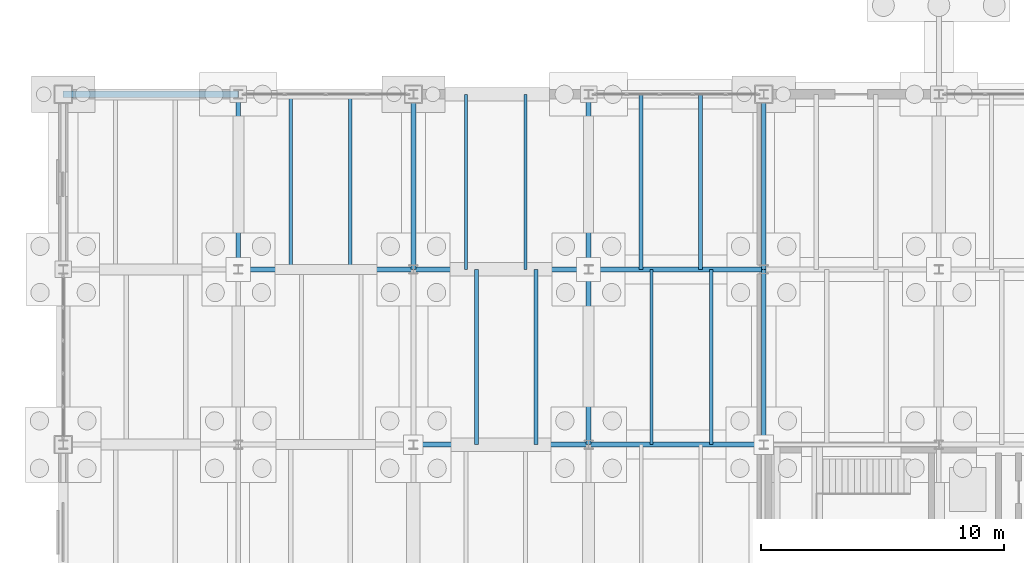
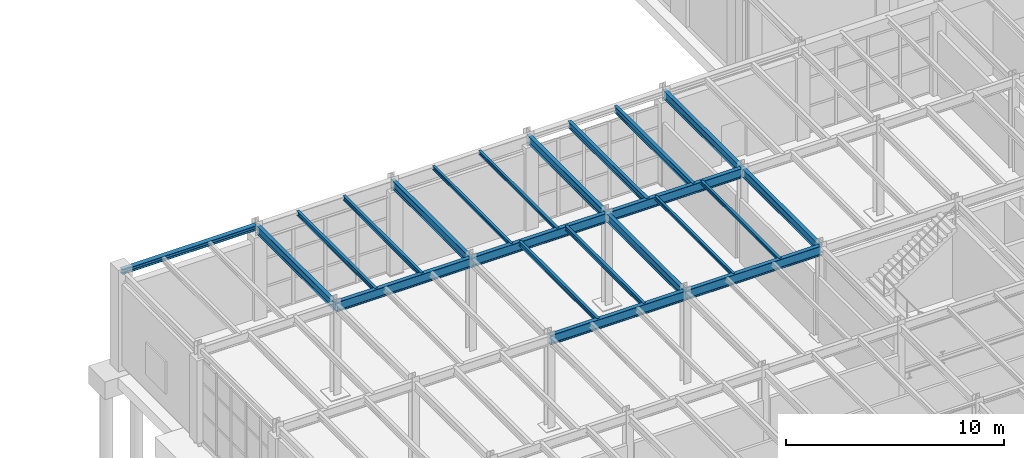
# One storey, part 97 of 293: 22 beams.
"""IFC4 building model written with IfcOpenShell, lengths in metres."""

from ifc_helpers import new_model, si_unit, direction, frame, origin, origin_2d, place, context, subcontext, project, spatial, i_section, extrude, material, material_profile, profile_set, type_object, element, save


model = new_model("IFC4")

# Units and contexts
model_context = context("Model", 3, precision=1e-05, world=origin(), true_north=direction((0.0, 1.0)))
body_context = subcontext(model_context, "Body", "Model", "MODEL_VIEW")
ifc_project = project(units=[si_unit("LENGTHUNIT", "METRE"), si_unit("AREAUNIT", "SQUARE_METRE"), si_unit("VOLUMEUNIT", "CUBIC_METRE"), si_unit("PLANEANGLEUNIT", "RADIAN"), si_unit("MASSUNIT", "GRAM", prefix="KILO")], contexts=[model_context])

# Site, building, storey
site_placement = place(None, origin())
site = spatial("IfcSite", under=ifc_project, at=site_placement, CompositionType="ELEMENT")
building_placement = place(site_placement, origin())
building = spatial("IfcBuilding", under=site, at=building_placement, Name="Kemerveld Promenade Tramway Depot", CompositionType="ELEMENT")
storey_placement = place(building_placement, origin())
storey = spatial("IfcBuildingStorey", under=building, at=storey_placement, Name="L00", CompositionType="ELEMENT", Elevation=0.0)

# Beams
ifc_material = material(Name="Steel S355", Category="steel")
ifc_material_profile_1 = material_profile(ifc_material, i_section(OverallWidth=0.2099609375, OverallDepth=0.53662109375, WebThickness=0.0107421875, FlangeThickness=0.017333984375, FilletRadius=0.0126953125, at=origin_2d()), Name="533x210x101 UB")
ifc_profile_set_1 = profile_set([ifc_material_profile_1], Name="Steel S355")
beam_type_1 = type_object("IfcBeamType", Name="BM-G05", PredefinedType="BEAM", material=ifc_profile_set_1)
beam_1_placement = place(storey_placement, frame((14.39990234375, 64.800048828125, 4.881591796875), z_axis=(1.0, 0.0, 0.0), x_axis=(0.0, 1.0, 0.0)))
element("IfcBeam", 1, at=beam_1_placement, inside=storey, type_object=beam_type_1, Name="BMX-L00-03-04-K", PredefinedType="BEAM", context=body_context, shape_type="SweptSolid", body=[
    extrude(i_section(OverallWidth=0.2099609375, OverallDepth=0.53662109375, WebThickness=0.0107421875, FlangeThickness=0.017333984375, FilletRadius=0.0126953125, at=origin_2d()), origin(), (0.0, 0.0, 1.0), 7.2001953125),
])
for number, where, z_axis, x_axis, name in (
    (2, (21.60009765625, 64.800048828125, 4.881591796875), (1.0, 0.0, 0.0), (0.0, 1.0, 0.0), "BMX-L00-04-05-K"),
    (3, (7.199951171875, 72.0, 4.881591796875), (1.0, 0.0, 0.0), (0.0, 1.0, 0.0), "BMX-L00-02-03-L"),
):
    element("IfcBeam", number, at=place(storey_placement, frame(where, z_axis=z_axis, x_axis=x_axis)), inside=storey, type_object=beam_type_1, Name=name, PredefinedType="BEAM", context=body_context, shape_type="SweptSolid", body=[
        extrude(i_section(OverallWidth=0.2099609375, OverallDepth=0.53662109375, WebThickness=0.0107421875, FlangeThickness=0.017333984375, FilletRadius=0.0126953125, at=origin_2d()), origin(), (0.0, 0.0, 1.0), 7.199951171875),
    ])
beam_2_placement = place(storey_placement, frame((14.39990234375, 72.0, 4.881591796875), z_axis=(1.0, 0.0, 0.0), x_axis=(0.0, 1.0, 0.0)))
element("IfcBeam", 4, at=beam_2_placement, inside=storey, type_object=beam_type_1, Name="BMX-L00-03-04-L", PredefinedType="BEAM", context=body_context, shape_type="SweptSolid", body=[
    extrude(i_section(OverallWidth=0.2099609375, OverallDepth=0.53662109375, WebThickness=0.0107421875, FlangeThickness=0.017333984375, FilletRadius=0.0126953125, at=origin_2d()), origin(), (0.0, 0.0, 1.0), 7.2001953125),
])
beam_3_placement = place(storey_placement, frame((21.60009765625, 72.0, 4.881591796875), z_axis=(1.0, 0.0, 0.0), x_axis=(0.0, 1.0, 0.0)))
element("IfcBeam", 5, at=beam_3_placement, inside=storey, type_object=beam_type_1, Name="BMX-L00-04-05-L", PredefinedType="BEAM", context=body_context, shape_type="SweptSolid", body=[
    extrude(i_section(OverallWidth=0.2099609375, OverallDepth=0.53662109375, WebThickness=0.0107421875, FlangeThickness=0.017333984375, FilletRadius=0.0126953125, at=origin_2d()), origin(), (0.0, 0.0, 1.0), 7.199951171875),
])
ifc_material_profile_2 = material_profile(ifc_material, i_section(OverallWidth=0.19140625, OverallDepth=0.4599609375, WebThickness=0.010009765625, FlangeThickness=0.01611328125, FilletRadius=0.01025390625, at=origin_2d()), Name="457x191x82 UB")
ifc_profile_set_2 = profile_set([ifc_material_profile_2], Name="Steel S355")
beam_type_2 = type_object("IfcBeamType", Name="BM-G06", PredefinedType="BEAM", material=ifc_profile_set_2)
for number, where, z_axis, x_axis, name in (
    (6, (7.199951171875, 72.0, 4.919921875), (0.0, 1.0, 0.0), (-1.0, 0.0, 0.0), "BMY-L00-02-L-M"),
    (7, (14.39990234375, 72.0, 4.919921875), (0.0, 1.0, 0.0), (-1.0, 0.0, 0.0), "BMY-L00-03-L-M"),
    (8, (21.60009765625, 64.800048828125, 4.919921875), (0.0, 1.0, 0.0), (-1.0, 0.0, 0.0), "BMY-L00-04-K-L"),
    (9, (21.60009765625, 72.0, 4.919921875), (0.0, 1.0, 0.0), (-1.0, 0.0, 0.0), "BMY-L00-04-L-M"),
    (10, (28.800048828125, 64.800048828125, 4.919921875), (0.0, 1.0, 0.0), (-1.0, 0.0, 0.0), "BMY-L00-05-K-L"),
    (11, (28.800048828125, 72.0, 4.919921875), (0.0, 1.0, 0.0), (-1.0, 0.0, 0.0), "BMY-L00-05-L-M"),
):
    element("IfcBeam", number, at=place(storey_placement, frame(where, z_axis=z_axis, x_axis=x_axis)), inside=storey, type_object=beam_type_2, Name=name, PredefinedType="BEAM", context=body_context, shape_type="SweptSolid", body=[
        extrude(i_section(OverallWidth=0.19140625, OverallDepth=0.4599609375, WebThickness=0.010009765625, FlangeThickness=0.01611328125, FilletRadius=0.01025390625, at=origin_2d()), origin(), (0.0, 0.0, 1.0), 7.199951171875),
    ])
ifc_material_profile_3 = material_profile(ifc_material, i_section(OverallWidth=0.146484375, OverallDepth=0.256103515625, WebThickness=0.00634765625, FlangeThickness=0.010986328125, FilletRadius=0.007568359375, at=origin_2d()), Name="254x146x37 UB")
ifc_profile_set_3 = profile_set([ifc_material_profile_3], Name="Steel S355")
beam_type_3 = type_object("IfcBeamType", Name="BM-J02", PredefinedType="JOIST", material=ifc_profile_set_3)
for number, where, z_axis, x_axis, name in (
    (12, (9.360107421875, 72.0, 5.02197265625), (0.0, 1.0, 0.0), (-1.0, 0.0, 0.0), "JST-L00-02-L-1"),
    (13, (11.80810546875, 72.0, 5.02197265625), (0.0, 1.0, 0.0), (-1.0, 0.0, 0.0), "JST-L00-02-L-2"),
    (14, (16.991943359375, 64.800048828125, 5.02197265625), (0.0, 1.0, 0.0), (-1.0, 0.0, 0.0), "JST-L00-03-K-1"),
    (15, (19.43994140625, 64.800048828125, 5.02197265625), (0.0, 1.0, 0.0), (-1.0, 0.0, 0.0), "JST-L00-03-K-2"),
):
    element("IfcBeam", number, at=place(storey_placement, frame(where, z_axis=z_axis, x_axis=x_axis)), inside=storey, type_object=beam_type_3, Name=name, PredefinedType="JOIST", context=body_context, shape_type="SweptSolid", body=[
        extrude(i_section(OverallWidth=0.146484375, OverallDepth=0.256103515625, WebThickness=0.00634765625, FlangeThickness=0.010986328125, FilletRadius=0.007568359375, at=origin_2d()), origin(), (0.0, 0.0, 1.0), 7.199951171875),
    ])
ifc_material_profile_4 = material_profile(ifc_material, i_section(OverallWidth=0.13330078125, OverallDepth=0.203125, WebThickness=0.005615234375, FlangeThickness=0.0078125, FilletRadius=0.007568359375, at=origin_2d()), Name="203x133x25 UB")
ifc_profile_set_4 = profile_set([ifc_material_profile_4], Name="Steel S355")
beam_type_4 = type_object("IfcBeamType", Name="BM-J03", PredefinedType="JOIST", material=ifc_profile_set_4)
for number, where, z_axis, x_axis, name in (
    (16, (16.56005859375, 72.0, 5.04833984375), (0.0, 1.0, 0.0), (-1.0, 0.0, 0.0), "JST-L00-03-L-1"),
    (17, (19.008056640625, 72.0, 5.04833984375), (0.0, 1.0, 0.0), (-1.0, 0.0, 0.0), "JST-L00-03-L-2"),
    (18, (24.19189453125, 64.800048828125, 5.04833984375), (0.0, 1.0, 0.0), (-1.0, 0.0, 0.0), "JST-L00-04-K-1"),
    (19, (26.639892578125, 64.800048828125, 5.04833984375), (0.0, 1.0, 0.0), (-1.0, 0.0, 0.0), "JST-L00-04-K-2"),
):
    element("IfcBeam", number, at=place(storey_placement, frame(where, z_axis=z_axis, x_axis=x_axis)), inside=storey, type_object=beam_type_4, Name=name, PredefinedType="JOIST", context=body_context, shape_type="SweptSolid", body=[
        extrude(i_section(OverallWidth=0.13330078125, OverallDepth=0.203125, WebThickness=0.005615234375, FlangeThickness=0.0078125, FilletRadius=0.007568359375, at=origin_2d()), origin(), (0.0, 0.0, 1.0), 7.199951171875),
    ])
ifc_material_profile_5 = material_profile(ifc_material, i_section(OverallWidth=0.172119140625, OverallDepth=0.35791015625, WebThickness=0.008056640625, FlangeThickness=0.012939453125, FilletRadius=0.01025390625, at=origin_2d()), Name="356x171x57 UB")
ifc_profile_set_5 = profile_set([ifc_material_profile_5], Name="Steel S355")
beam_type_5 = type_object("IfcBeamType", Name="BM-J04", PredefinedType="JOIST", material=ifc_profile_set_5)
for number, where, z_axis, x_axis, name in (
    (20, (23.760009765625, 72.0, 4.970947265625), (0.0, 1.0, 0.0), (-1.0, 0.0, 0.0), "JST-L00-04-L-1"),
    (21, (26.2080078125, 72.0, 4.970947265625), (0.0, 1.0, 0.0), (-1.0, 0.0, 0.0), "JST-L00-04-L-2"),
):
    element("IfcBeam", number, at=place(storey_placement, frame(where, z_axis=z_axis, x_axis=x_axis)), inside=storey, type_object=beam_type_5, Name=name, PredefinedType="JOIST", context=body_context, shape_type="SweptSolid", body=[
        extrude(i_section(OverallWidth=0.172119140625, OverallDepth=0.35791015625, WebThickness=0.008056640625, FlangeThickness=0.012939453125, FilletRadius=0.01025390625, at=origin_2d()), origin(), (0.0, 0.0, 1.0), 7.199951171875),
    ])
ifc_material_profile_6 = material_profile(ifc_material, i_section(OverallWidth=0.25634765625, OverallDepth=0.26025390625, WebThickness=0.01025390625, FlangeThickness=0.017333984375, FilletRadius=0.0126953125, at=origin_2d()), Name="254x254x89 UC")
ifc_profile_set_6 = profile_set([ifc_material_profile_6], Name="Steel S355")
beam_type_6 = type_object("IfcBeamType", Name="BM-LN4", PredefinedType="LINTEL", material=ifc_profile_set_6)
beam_4_placement = place(storey_placement, frame((0.0, 79.199951171875, 5.019775390625), z_axis=(1.0, 0.0, 0.0), x_axis=(0.0, 1.0, 0.0)))
element("IfcBeam", 22, at=beam_4_placement, inside=storey, type_object=beam_type_6, Name="BMX-L00-01-02-M", PredefinedType="LINTEL", context=body_context, shape_type="SweptSolid", body=[
    extrude(i_section(OverallWidth=0.25634765625, OverallDepth=0.26025390625, WebThickness=0.01025390625, FlangeThickness=0.017333984375, FilletRadius=0.0126953125, at=origin_2d()), origin(), (0.0, 0.0, 1.0), 7.199951171875),
])

save(model, "model.ifc")
